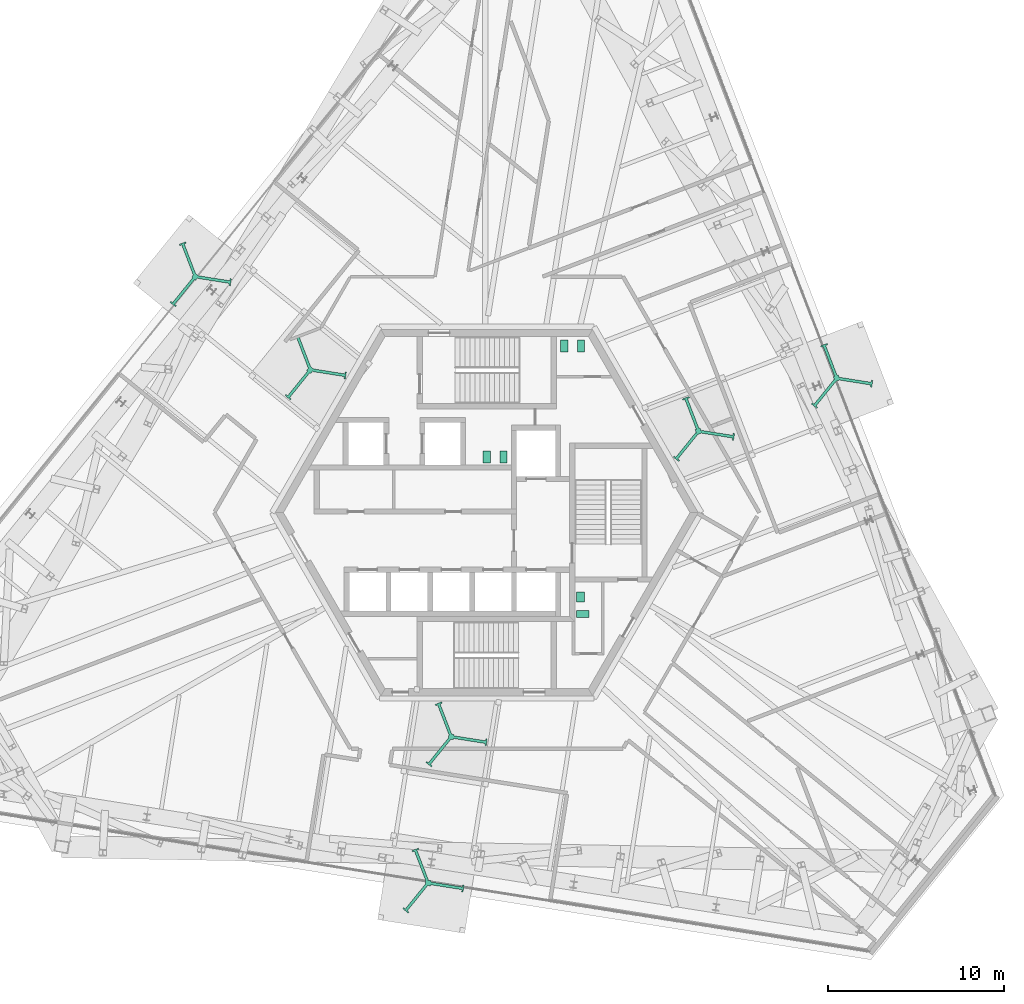
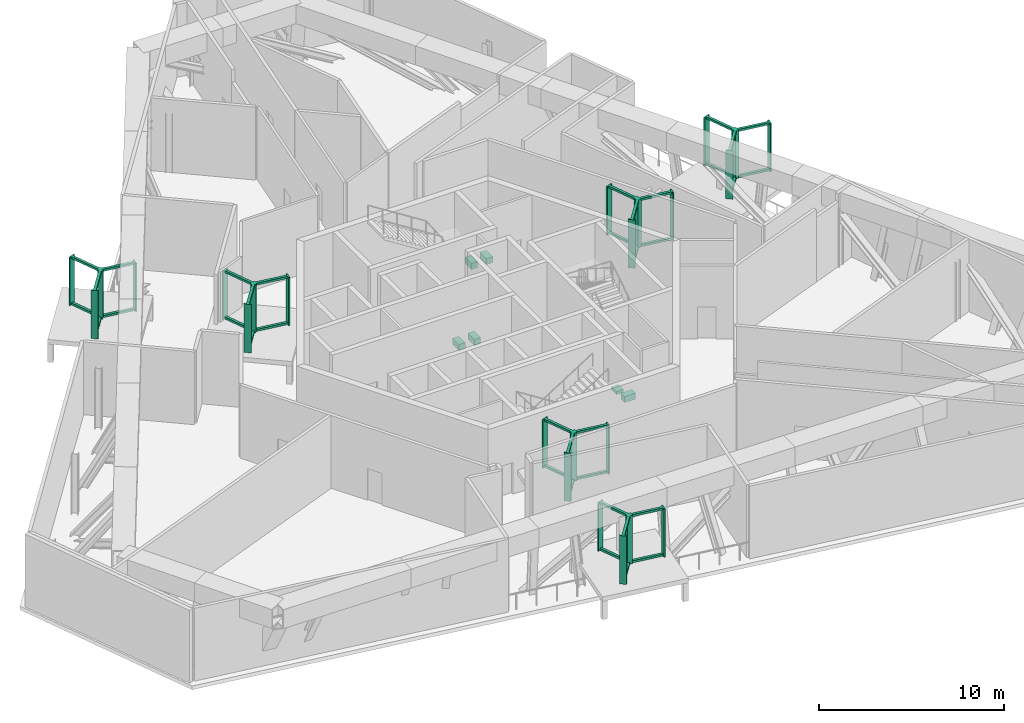
# One storey, part 14 of 14: 6 electric generators, 6 sanitary terminals.
"""IFC4 building model written with IfcOpenShell, lengths in metres."""

from ifc_helpers import new_model, si_unit, direction, frame, origin, origin_2d, place, context, subcontext, project, spatial, rectangle, extrude, source, transform, mapped, material, type_object, element, save


model = new_model("IFC4")

# Units and contexts
model_context = context("Model", 3, precision=1e-05, world=origin(), true_north=direction((0.0, 1.0)))
body_context = subcontext(model_context, "Body", "Model", "MODEL_VIEW")
ifc_project = project(units=[si_unit("LENGTHUNIT", "METRE"), si_unit("AREAUNIT", "SQUARE_METRE"), si_unit("VOLUMEUNIT", "CUBIC_METRE"), si_unit("PLANEANGLEUNIT", "RADIAN"), si_unit("MASSUNIT", "GRAM", prefix="KILO")], contexts=[model_context])

# Site, building, storey
site_placement = place(None, origin())
site = spatial("IfcSite", under=ifc_project, at=site_placement, CompositionType="ELEMENT")
building_placement = place(site_placement, origin())
building = spatial("IfcBuilding", under=site, at=building_placement, Name="Triune Harvest Tower", CompositionType="ELEMENT")
storey_placement = place(building_placement, frame((0.0, 0.0, 174.925048828125)))
storey = spatial("IfcBuildingStorey", under=building, at=storey_placement, Name="L45", CompositionType="ELEMENT", Elevation=174.925048828125)

# Electric generators
ifc_material_1 = material(Name="Aluminium 6063-T5 anodised bronze", Category="aluminium")
electric_generator_type = type_object("IfcElectricGeneratorType", Name="WT-1 vertical axis wind turbine", PredefinedType="USERDEFINED", material=ifc_material_1)
electric_generator_1_placement = place(storey_placement, frame((12.020263671875, 4.614013671875, 1.5)))
element("IfcElectricGenerator", 1, at=electric_generator_1_placement, inside=storey, type_object=electric_generator_type, Name="Wind turbine CH1.1", ObjectType="WIND TURBINE", PredefinedType="USERDEFINED", context=body_context, shape_type="SweptSolid", body=[
    extrude(rectangle(XDim=0.300048828125, YDim=0.300048828125, at=origin_2d()), frame((0.0, 0.0, 0.0), z_axis=(0.0, 0.0, 1.0), x_axis=(0.933580426497, 0.358367949545, 0.0)), (0.0, 0.0, 1.0), 3.199951171875),
    extrude(rectangle(XDim=0.080078125, YDim=0.39990234375, at=origin_2d()), frame((-0.716796875, 1.8671875, 0.0), z_axis=(0.0, 0.0, 1.0), x_axis=(-0.358367949545, 0.933580426497, 0.0)), (0.0, 0.0, 1.0), 3.199951171875),
    extrude(rectangle(XDim=1.81005859375, YDim=0.159912109375, at=origin_2d()), frame((-0.378173828125, 0.985107421875, 0.000244140625), z_axis=(0.0, 0.0, 1.0), x_axis=(-0.358367949545, 0.933580426497, 0.0)), (0.0, 0.0, 1.0), 0.139892578125),
    extrude(rectangle(XDim=1.81005859375, YDim=0.159912109375, at=origin_2d()), frame((-0.378173828125, 0.985107421875, 3.06005859375), z_axis=(0.0, 0.0, 1.0), x_axis=(-0.358367949545, 0.933580426497, 0.0)), (0.0, 0.0, 1.0), 0.139892578125),
    extrude(rectangle(XDim=0.080078125, YDim=0.39990234375, at=origin_2d()), frame((-1.258544921875, -1.55419921875, 0.0), z_axis=(0.0, 0.0, 1.0), x_axis=(-0.62932039105, -0.777145961457, 0.0)), (0.0, 0.0, 1.0), 3.199951171875),
    extrude(rectangle(XDim=1.81005859375, YDim=0.159912109375, at=origin_2d()), frame((-0.6640625, -0.81982421875, 0.000244140625), z_axis=(0.0, 0.0, 1.0), x_axis=(-0.62932039105, -0.777145961457, 0.0)), (0.0, 0.0, 1.0), 0.139892578125),
    extrude(rectangle(XDim=1.81005859375, YDim=0.159912109375, at=origin_2d()), frame((-0.6640625, -0.81982421875, 3.06005859375), z_axis=(0.0, 0.0, 1.0), x_axis=(-0.62932039105, -0.777145961457, 0.0)), (0.0, 0.0, 1.0), 0.139892578125),
    extrude(rectangle(XDim=0.080078125, YDim=0.39990234375, at=origin_2d()), frame((1.975341796875, -0.312744140625, 0.0), z_axis=(0.0, 0.0, 1.0), x_axis=(0.987688340595, -0.15643446504, 0.0)), (0.0, 0.0, 1.0), 3.199951171875),
    extrude(rectangle(XDim=1.81005859375, YDim=0.159912109375, at=origin_2d()), frame((1.0419921875, -0.164794921875, 0.000244140625), z_axis=(0.0, 0.0, 1.0), x_axis=(0.987688340595, -0.15643446504, 0.0)), (0.0, 0.0, 1.0), 0.139892578125),
    extrude(rectangle(XDim=1.81005859375, YDim=0.159912109375, at=origin_2d()), frame((1.0419921875, -0.164794921875, 3.06005859375), z_axis=(0.0, 0.0, 1.0), x_axis=(0.987688340595, -0.15643446504, 0.0)), (0.0, 0.0, 1.0), 0.139892578125),
])
electric_generator_2_placement = place(storey_placement, frame((19.8623046875, 7.624267578125, 1.5)))
element("IfcElectricGenerator", 2, at=electric_generator_2_placement, inside=storey, type_object=electric_generator_type, Name="Wind turbine CH1.2", ObjectType="WIND TURBINE", PredefinedType="USERDEFINED", context=body_context, shape_type="SweptSolid", body=[
    extrude(rectangle(XDim=0.300048828125, YDim=0.300048828125, at=origin_2d()), frame((0.0, 0.0, 0.0), z_axis=(0.0, 0.0, 1.0), x_axis=(0.933580426497, 0.358367949545, 0.0)), (0.0, 0.0, 1.0), 3.199951171875),
    extrude(rectangle(XDim=0.080078125, YDim=0.39990234375, at=origin_2d()), frame((-0.716796875, 1.8671875, 0.0), z_axis=(0.0, 0.0, 1.0), x_axis=(-0.358367949545, 0.933580426497, 0.0)), (0.0, 0.0, 1.0), 3.199951171875),
    extrude(rectangle(XDim=1.81005859375, YDim=0.159912109375, at=origin_2d()), frame((-0.378173828125, 0.98486328125, 0.000244140625), z_axis=(0.0, 0.0, 1.0), x_axis=(-0.358367949545, 0.933580426497, 0.0)), (0.0, 0.0, 1.0), 0.139892578125),
    extrude(rectangle(XDim=1.81005859375, YDim=0.159912109375, at=origin_2d()), frame((-0.378173828125, 0.98486328125, 3.06005859375), z_axis=(0.0, 0.0, 1.0), x_axis=(-0.358367949545, 0.933580426497, 0.0)), (0.0, 0.0, 1.0), 0.139892578125),
    extrude(rectangle(XDim=0.080078125, YDim=0.39990234375, at=origin_2d()), frame((-1.2587890625, -1.55419921875, 0.0), z_axis=(0.0, 0.0, 1.0), x_axis=(-0.62932039105, -0.777145961457, 0.0)), (0.0, 0.0, 1.0), 3.199951171875),
    extrude(rectangle(XDim=1.81005859375, YDim=0.159912109375, at=origin_2d()), frame((-0.6640625, -0.81982421875, 0.000244140625), z_axis=(0.0, 0.0, 1.0), x_axis=(-0.62932039105, -0.777145961457, 0.0)), (0.0, 0.0, 1.0), 0.139892578125),
    extrude(rectangle(XDim=1.81005859375, YDim=0.159912109375, at=origin_2d()), frame((-0.6640625, -0.81982421875, 3.06005859375), z_axis=(0.0, 0.0, 1.0), x_axis=(-0.62932039105, -0.777145961457, 0.0)), (0.0, 0.0, 1.0), 0.139892578125),
    extrude(rectangle(XDim=0.080078125, YDim=0.39990234375, at=origin_2d()), frame((1.975341796875, -0.31298828125, 0.0), z_axis=(0.0, 0.0, 1.0), x_axis=(0.987688340595, -0.15643446504, 0.0)), (0.0, 0.0, 1.0), 3.199951171875),
    extrude(rectangle(XDim=1.81005859375, YDim=0.159912109375, at=origin_2d()), frame((1.0419921875, -0.1650390625, 0.000244140625), z_axis=(0.0, 0.0, 1.0), x_axis=(0.987688340595, -0.15643446504, 0.0)), (0.0, 0.0, 1.0), 0.139892578125),
    extrude(rectangle(XDim=1.81005859375, YDim=0.159912109375, at=origin_2d()), frame((1.0419921875, -0.1650390625, 3.06005859375), z_axis=(0.0, 0.0, 1.0), x_axis=(0.987688340595, -0.15643446504, 0.0)), (0.0, 0.0, 1.0), 0.139892578125),
])
electric_generator_3_placement = place(storey_placement, frame((-10.006103515625, 8.102783203125, 1.5)))
element("IfcElectricGenerator", 3, at=electric_generator_3_placement, inside=storey, type_object=electric_generator_type, Name="Wind turbine CH2.1", ObjectType="WIND TURBINE", PredefinedType="USERDEFINED", context=body_context, shape_type="SweptSolid", body=[
    extrude(rectangle(XDim=0.300048828125, YDim=0.300048828125, at=origin_2d()), frame((0.0, 0.0, 0.0), z_axis=(0.0, 0.0, 1.0), x_axis=(-0.777145961457, 0.62932039105, 0.0)), (0.0, 0.0, 1.0), 3.199951171875),
    extrude(rectangle(XDim=0.080078125, YDim=0.39990234375, at=origin_2d()), frame((-1.258544921875, -1.554443359375, 0.0), z_axis=(0.0, 0.0, 1.0), x_axis=(-0.62932039105, -0.777145961457, 0.0)), (0.0, 0.0, 1.0), 3.199951171875),
    extrude(rectangle(XDim=1.81005859375, YDim=0.159912109375, at=origin_2d()), frame((-0.663818359375, -0.820068359375, 0.000244140625), z_axis=(0.0, 0.0, 1.0), x_axis=(-0.62932039105, -0.777145961457, 0.0)), (0.0, 0.0, 1.0), 0.139892578125),
    extrude(rectangle(XDim=1.81005859375, YDim=0.159912109375, at=origin_2d()), frame((-0.663818359375, -0.820068359375, 3.06005859375), z_axis=(0.0, 0.0, 1.0), x_axis=(-0.62932039105, -0.777145961457, 0.0)), (0.0, 0.0, 1.0), 0.139892578125),
    extrude(rectangle(XDim=0.080078125, YDim=0.39990234375, at=origin_2d()), frame((1.9755859375, -0.31298828125, 0.0), z_axis=(0.0, 0.0, 1.0), x_axis=(0.987688340595, -0.15643446504, 0.0)), (0.0, 0.0, 1.0), 3.199951171875),
    extrude(rectangle(XDim=1.81005859375, YDim=0.159912109375, at=origin_2d()), frame((1.0419921875, -0.1650390625, 0.000244140625), z_axis=(0.0, 0.0, 1.0), x_axis=(0.987688340595, -0.15643446504, 0.0)), (0.0, 0.0, 1.0), 0.139892578125),
    extrude(rectangle(XDim=1.81005859375, YDim=0.159912109375, at=origin_2d()), frame((1.0419921875, -0.1650390625, 3.06005859375), z_axis=(0.0, 0.0, 1.0), x_axis=(0.987688340595, -0.15643446504, 0.0)), (0.0, 0.0, 1.0), 0.139892578125),
    extrude(rectangle(XDim=0.080078125, YDim=0.39990234375, at=origin_2d()), frame((-0.716552734375, 1.8671875, 0.0), z_axis=(0.0, 0.0, 1.0), x_axis=(-0.358367949545, 0.933580426497, 0.0)), (0.0, 0.0, 1.0), 3.199951171875),
    extrude(rectangle(XDim=1.81005859375, YDim=0.159912109375, at=origin_2d()), frame((-0.3779296875, 0.98486328125, 0.000244140625), z_axis=(0.0, 0.0, 1.0), x_axis=(-0.358367949545, 0.933580426497, 0.0)), (0.0, 0.0, 1.0), 0.139892578125),
    extrude(rectangle(XDim=1.81005859375, YDim=0.159912109375, at=origin_2d()), frame((-0.3779296875, 0.98486328125, 3.06005859375), z_axis=(0.0, 0.0, 1.0), x_axis=(-0.358367949545, 0.933580426497, 0.0)), (0.0, 0.0, 1.0), 0.139892578125),
])
electric_generator_4_placement = place(storey_placement, frame((-16.533935546875, 13.388916015625, 1.5)))
element("IfcElectricGenerator", 4, at=electric_generator_4_placement, inside=storey, type_object=electric_generator_type, Name="Wind turbine CH2.2", ObjectType="WIND TURBINE", PredefinedType="USERDEFINED", context=body_context, shape_type="SweptSolid", body=[
    extrude(rectangle(XDim=0.300048828125, YDim=0.300048828125, at=origin_2d()), frame((0.0, 0.0, 0.0), z_axis=(0.0, 0.0, 1.0), x_axis=(-0.777145961457, 0.62932039105, 0.0)), (0.0, 0.0, 1.0), 3.199951171875),
    extrude(rectangle(XDim=0.080078125, YDim=0.39990234375, at=origin_2d()), frame((-1.258544921875, -1.55419921875, 0.0), z_axis=(0.0, 0.0, 1.0), x_axis=(-0.62932039105, -0.777145961457, 0.0)), (0.0, 0.0, 1.0), 3.199951171875),
    extrude(rectangle(XDim=1.81005859375, YDim=0.159912109375, at=origin_2d()), frame((-0.6640625, -0.81982421875, 0.000244140625), z_axis=(0.0, 0.0, 1.0), x_axis=(-0.62932039105, -0.777145961457, 0.0)), (0.0, 0.0, 1.0), 0.139892578125),
    extrude(rectangle(XDim=1.81005859375, YDim=0.159912109375, at=origin_2d()), frame((-0.6640625, -0.81982421875, 3.06005859375), z_axis=(0.0, 0.0, 1.0), x_axis=(-0.62932039105, -0.777145961457, 0.0)), (0.0, 0.0, 1.0), 0.139892578125),
    extrude(rectangle(XDim=0.080078125, YDim=0.39990234375, at=origin_2d()), frame((1.975341796875, -0.31298828125, 0.0), z_axis=(0.0, 0.0, 1.0), x_axis=(0.987688340595, -0.15643446504, 0.0)), (0.0, 0.0, 1.0), 3.199951171875),
    extrude(rectangle(XDim=1.81005859375, YDim=0.159912109375, at=origin_2d()), frame((1.0419921875, -0.1650390625, 0.000244140625), z_axis=(0.0, 0.0, 1.0), x_axis=(0.987688340595, -0.15643446504, 0.0)), (0.0, 0.0, 1.0), 0.139892578125),
    extrude(rectangle(XDim=1.81005859375, YDim=0.159912109375, at=origin_2d()), frame((1.0419921875, -0.1650390625, 3.06005859375), z_axis=(0.0, 0.0, 1.0), x_axis=(0.987688340595, -0.15643446504, 0.0)), (0.0, 0.0, 1.0), 0.139892578125),
    extrude(rectangle(XDim=0.080078125, YDim=0.39990234375, at=origin_2d()), frame((-0.716796875, 1.8671875, 0.0), z_axis=(0.0, 0.0, 1.0), x_axis=(-0.358367949545, 0.933580426497, 0.0)), (0.0, 0.0, 1.0), 3.199951171875),
    extrude(rectangle(XDim=1.81005859375, YDim=0.159912109375, at=origin_2d()), frame((-0.378173828125, 0.98486328125, 0.000244140625), z_axis=(0.0, 0.0, 1.0), x_axis=(-0.358367949545, 0.933580426497, 0.0)), (0.0, 0.0, 1.0), 0.139892578125),
    extrude(rectangle(XDim=1.81005859375, YDim=0.159912109375, at=origin_2d()), frame((-0.378173828125, 0.98486328125, 3.06005859375), z_axis=(0.0, 0.0, 1.0), x_axis=(-0.358367949545, 0.933580426497, 0.0)), (0.0, 0.0, 1.0), 0.139892578125),
])
electric_generator_5_placement = place(storey_placement, frame((-2.01416015625, -12.716796875, 1.5)))
element("IfcElectricGenerator", 5, at=electric_generator_5_placement, inside=storey, type_object=electric_generator_type, Name="Wind turbine CH3.1", ObjectType="WIND TURBINE", PredefinedType="USERDEFINED", context=body_context, shape_type="SweptSolid", body=[
    extrude(rectangle(XDim=0.300048828125, YDim=0.300048828125, at=origin_2d()), frame((0.0, 0.0, 0.0), z_axis=(0.0, 0.0, 1.0), x_axis=(-0.15643446504, -0.987688340595, 0.0)), (0.0, 0.0, 1.0), 3.199951171875),
    extrude(rectangle(XDim=0.080078125, YDim=0.39990234375, at=origin_2d()), frame((1.975341796875, -0.31298828125, 0.0), z_axis=(0.0, 0.0, 1.0), x_axis=(0.987688340595, -0.15643446504, 0.0)), (0.0, 0.0, 1.0), 3.199951171875),
    extrude(rectangle(XDim=1.81005859375, YDim=0.159912109375, at=origin_2d()), frame((1.0419921875, -0.1650390625, 0.000244140625), z_axis=(0.0, 0.0, 1.0), x_axis=(0.987688340595, -0.15643446504, 0.0)), (0.0, 0.0, 1.0), 0.139892578125),
    extrude(rectangle(XDim=1.81005859375, YDim=0.159912109375, at=origin_2d()), frame((1.0419921875, -0.1650390625, 3.06005859375), z_axis=(0.0, 0.0, 1.0), x_axis=(0.987688340595, -0.15643446504, 0.0)), (0.0, 0.0, 1.0), 0.139892578125),
    extrude(rectangle(XDim=0.080078125, YDim=0.39990234375, at=origin_2d()), frame((-0.716796875, 1.8671875, 0.0), z_axis=(0.0, 0.0, 1.0), x_axis=(-0.358367949545, 0.933580426497, 0.0)), (0.0, 0.0, 1.0), 3.199951171875),
    extrude(rectangle(XDim=1.81005859375, YDim=0.159912109375, at=origin_2d()), frame((-0.378173828125, 0.98486328125, 0.000244140625), z_axis=(0.0, 0.0, 1.0), x_axis=(-0.358367949545, 0.933580426497, 0.0)), (0.0, 0.0, 1.0), 0.139892578125),
    extrude(rectangle(XDim=1.81005859375, YDim=0.159912109375, at=origin_2d()), frame((-0.378173828125, 0.98486328125, 3.06005859375), z_axis=(0.0, 0.0, 1.0), x_axis=(-0.358367949545, 0.933580426497, 0.0)), (0.0, 0.0, 1.0), 0.139892578125),
    extrude(rectangle(XDim=0.080078125, YDim=0.39990234375, at=origin_2d()), frame((-1.258544921875, -1.55419921875, 0.0), z_axis=(0.0, 0.0, 1.0), x_axis=(-0.62932039105, -0.777145961457, 0.0)), (0.0, 0.0, 1.0), 3.199951171875),
    extrude(rectangle(XDim=1.81005859375, YDim=0.159912109375, at=origin_2d()), frame((-0.663818359375, -0.81982421875, 0.000244140625), z_axis=(0.0, 0.0, 1.0), x_axis=(-0.62932039105, -0.777145961457, 0.0)), (0.0, 0.0, 1.0), 0.139892578125),
    extrude(rectangle(XDim=1.81005859375, YDim=0.159912109375, at=origin_2d()), frame((-0.663818359375, -0.81982421875, 3.06005859375), z_axis=(0.0, 0.0, 1.0), x_axis=(-0.62932039105, -0.777145961457, 0.0)), (0.0, 0.0, 1.0), 0.139892578125),
])
electric_generator_6_placement = place(storey_placement, frame((-3.328125, -21.013427734375, 1.5)))
element("IfcElectricGenerator", 6, at=electric_generator_6_placement, inside=storey, type_object=electric_generator_type, Name="Wind turbine CH3.2", ObjectType="WIND TURBINE", PredefinedType="USERDEFINED", context=body_context, shape_type="SweptSolid", body=[
    extrude(rectangle(XDim=0.300048828125, YDim=0.300048828125, at=origin_2d()), frame((0.0, 0.0, 0.0), z_axis=(0.0, 0.0, 1.0), x_axis=(-0.15643446504, -0.987688340595, 0.0)), (0.0, 0.0, 1.0), 3.199951171875),
    extrude(rectangle(XDim=0.080078125, YDim=0.39990234375, at=origin_2d()), frame((1.975341796875, -0.31298828125, 0.0), z_axis=(0.0, 0.0, 1.0), x_axis=(0.987688340595, -0.15643446504, 0.0)), (0.0, 0.0, 1.0), 3.199951171875),
    extrude(rectangle(XDim=1.81005859375, YDim=0.159912109375, at=origin_2d()), frame((1.0419921875, -0.1650390625, 0.000244140625), z_axis=(0.0, 0.0, 1.0), x_axis=(0.987688340595, -0.15643446504, 0.0)), (0.0, 0.0, 1.0), 0.139892578125),
    extrude(rectangle(XDim=1.81005859375, YDim=0.159912109375, at=origin_2d()), frame((1.0419921875, -0.1650390625, 3.06005859375), z_axis=(0.0, 0.0, 1.0), x_axis=(0.987688340595, -0.15643446504, 0.0)), (0.0, 0.0, 1.0), 0.139892578125),
    extrude(rectangle(XDim=0.080078125, YDim=0.39990234375, at=origin_2d()), frame((-0.716796875, 1.8671875, 0.0), z_axis=(0.0, 0.0, 1.0), x_axis=(-0.358367949545, 0.933580426497, 0.0)), (0.0, 0.0, 1.0), 3.199951171875),
    extrude(rectangle(XDim=1.81005859375, YDim=0.159912109375, at=origin_2d()), frame((-0.378173828125, 0.98486328125, 0.000244140625), z_axis=(0.0, 0.0, 1.0), x_axis=(-0.358367949545, 0.933580426497, 0.0)), (0.0, 0.0, 1.0), 0.139892578125),
    extrude(rectangle(XDim=1.81005859375, YDim=0.159912109375, at=origin_2d()), frame((-0.378173828125, 0.98486328125, 3.06005859375), z_axis=(0.0, 0.0, 1.0), x_axis=(-0.358367949545, 0.933580426497, 0.0)), (0.0, 0.0, 1.0), 0.139892578125),
    extrude(rectangle(XDim=0.080078125, YDim=0.39990234375, at=origin_2d()), frame((-1.2587890625, -1.55419921875, 0.0), z_axis=(0.0, 0.0, 1.0), x_axis=(-0.62932039105, -0.777145961457, 0.0)), (0.0, 0.0, 1.0), 3.199951171875),
    extrude(rectangle(XDim=1.81005859375, YDim=0.159912109375, at=origin_2d()), frame((-0.6640625, -0.81982421875, 0.000244140625), z_axis=(0.0, 0.0, 1.0), x_axis=(-0.62932039105, -0.777145961457, 0.0)), (0.0, 0.0, 1.0), 0.139892578125),
    extrude(rectangle(XDim=1.81005859375, YDim=0.159912109375, at=origin_2d()), frame((-0.6640625, -0.81982421875, 3.06005859375), z_axis=(0.0, 0.0, 1.0), x_axis=(-0.62932039105, -0.777145961457, 0.0)), (0.0, 0.0, 1.0), 0.139892578125),
])

# Sanitary terminals
ifc_material_2 = material(Name="Vitreous china")
shared_shape_1 = source(origin(), body_context, "Body", "SweptSolid", [
    extrude(rectangle(XDim=0.39990234375, YDim=0.699951171875, at=origin_2d()), origin(), (0.0, 0.0, 1.0), 0.39990234375),
])
for number, where, z_axis, x_axis, name in (
    (7, (4.39990234375, 9.449951171875, 0.0), (0.0, 0.0, 1.0), (1.0, 0.0, 0.0), "Toilet pan L45.c01"),
    (8, (5.35009765625, 9.449951171875, 0.0), (0.0, 0.0, 1.0), (1.0, 0.0, 0.0), "Toilet pan L45.c02"),
    (9, (0.949951171875, 3.159912109375, 0.0), (0.0, 0.0, 1.0), (-1.0, 0.0, 0.0), "Toilet pan L45.c03"),
    (10, (0.0, 3.159912109375, 0.0), (0.0, 0.0, 1.0), (-1.0, 0.0, 0.0), "Toilet pan L45.c04"),
    (11, (5.449951171875, -5.739990234375, 0.0), (0.0, 0.0, 1.0), (0.0, 1.0, 0.0), "Toilet pan L45.c05"),
):
    element("IfcSanitaryTerminal", number, at=place(storey_placement, frame(where, z_axis=z_axis, x_axis=x_axis)), inside=storey, material=ifc_material_2, Name=name, PredefinedType="TOILETPAN", context=body_context, shape_type="MappedRepresentation", body=[
        mapped(shared_shape_1, transform((0.0, 0.0, 0.0), scale=1.0)),
    ])
shared_shape_2 = source(origin(), body_context, "Body", "SweptSolid", [
    extrude(rectangle(XDim=0.550048828125, YDim=0.449951171875, at=origin_2d()), origin(), (0.0, 0.0, 1.0), 0.199951171875),
])
sanitary_terminal_placement = place(storey_placement, frame((5.324951171875, -4.7900390625, 0.0), z_axis=(0.0, 0.0, 1.0), x_axis=(0.0, 1.0, 0.0)))
element("IfcSanitaryTerminal", 12, at=sanitary_terminal_placement, inside=storey, material=ifc_material_2, Name="Wash basin L45.c06", PredefinedType="WASHHANDBASIN", context=body_context, shape_type="MappedRepresentation", body=[
    mapped(shared_shape_2, transform((0.0, 0.0, 0.0), scale=1.0)),
])

save(model, "model.ifc")
